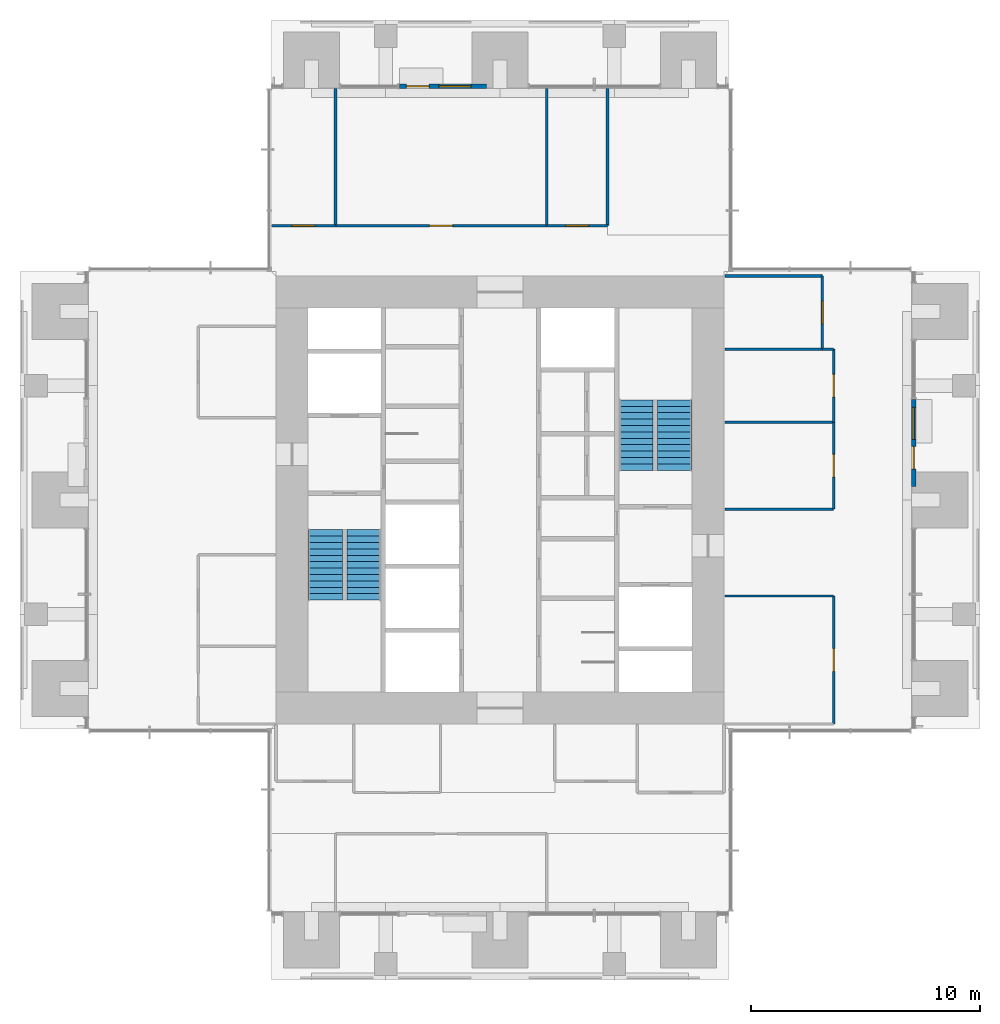
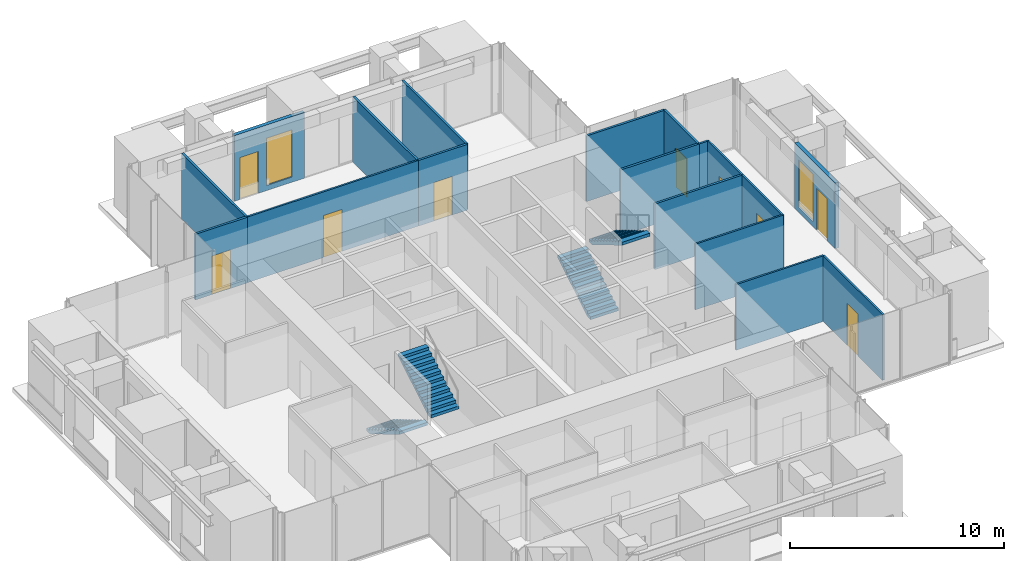
# One storey, part 14 of 17: 18 walls, 9 doors, 4 stair flights, 2 windows, 11 openings, 2 elements without a shape of their own.
"""IFC4 building model written with IfcOpenShell, lengths in metres."""

from ifc_helpers import new_model, si_unit, direction, frame, frame_2d, origin, place, context, subcontext, project, spatial, polyline, rectangle, outline, extrude, material, layer, layer_set, type_object, element, fill, aggregate, save


model = new_model("IFC4")

# Units and contexts
model_context = context("Model", 3, precision=1e-05, world=origin(), true_north=direction((0.0, 1.0)))
body_context = subcontext(model_context, "Body", "Model", "MODEL_VIEW")
ifc_project = project(units=[si_unit("LENGTHUNIT", "METRE"), si_unit("AREAUNIT", "SQUARE_METRE"), si_unit("VOLUMEUNIT", "CUBIC_METRE"), si_unit("PLANEANGLEUNIT", "RADIAN"), si_unit("MASSUNIT", "GRAM", prefix="KILO")], contexts=[model_context])

# Site, building, storey
site_placement = place(None, origin())
site = spatial("IfcSite", under=ifc_project, at=site_placement, CompositionType="ELEMENT")
building_placement = place(site_placement, origin())
building = spatial("IfcBuilding", under=site, at=building_placement, Name="Svetlomir Tower", CompositionType="ELEMENT")
storey_placement = place(building_placement, frame((0.0, 0.0, 190.5)))
storey = spatial("IfcBuildingStorey", under=building, at=storey_placement, Name="L45", CompositionType="ELEMENT", Elevation=190.5)

# Wall, openings, door, window
ifc_material_1 = material(Name="Bronze anodised aluminium glazed screen", Category="aluminium")
ifc_layer_1 = layer(ifc_material_1, 0.199951171875)
ifc_layer_set_1 = layer_set([ifc_layer_1], Name="Bronze anodised aluminium glazed screen")
wall_type_1 = type_object("IfcWallType", Name="BALCONY SCREEN WALL 200", PredefinedType="USERDEFINED", material=ifc_layer_set_1)
wall_1_placement = place(storey_placement, frame((39.10009765625, 21.60009765625, 0.0), z_axis=(0.0, 0.0, 1.0), x_axis=(0.0, 1.0, 0.0)))
wall_1 = element("IfcWall", 1, at=wall_1_placement, inside=storey, type_object=wall_type_1, Name="Balcony screen E", ObjectType="GLAZED SCREEN", PredefinedType="USERDEFINED", context=body_context, shape_type="SweptSolid", body=[
    extrude(rectangle(XDim=3.7998046875, YDim=0.199951171875, at=frame_2d((1.89990234375, 0.0))), origin(), (0.0, 0.0, 1.0), 3.75),
])
opening_1_placement = place(wall_1_placement, frame((0.75, 0.0, 0.0)))
opening_1 = element("IfcOpeningElement", 2, at=opening_1_placement, cuts=wall_1, Name="Opening BD", PredefinedType="OPENING", context=body_context, shape_type="SweptSolid", body=[
    extrude(rectangle(XDim=1.0, YDim=2.39990234375, at=frame_2d((0.5, 1.199951171875))), frame((0.0, 0.10986328125, 0.0), z_axis=(0.0, -1.0, 0.0), x_axis=(1.0, 0.0, 0.0)), (0.0, 0.0, 1.0), 0.219970703125),
])
opening_2_placement = place(wall_1_placement, frame((2.050048828125, 0.0, 0.300048828125)))
opening_2 = element("IfcOpeningElement", 3, at=opening_2_placement, cuts=wall_1, Name="Opening WS2", PredefinedType="OPENING", context=body_context, shape_type="SweptSolid", body=[
    extrude(rectangle(XDim=1.39990234375, YDim=2.699951171875, at=frame_2d((0.699951171875, 1.35009765625))), frame((0.0, 0.10986328125, 0.0), z_axis=(0.0, -1.0, 0.0), x_axis=(1.0, 0.0, 0.0)), (0.0, 0.0, 1.0), 0.219970703125),
])
ifc_material_2 = material(Name="Bronze anodised aluminium glazed door", Category="aluminium")
door_type_1 = type_object("IfcDoorType", Name="BALCONY DOOR BD 1000x2400", OperationType="SINGLE_SWING_LEFT", PredefinedType="DOOR", material=ifc_material_2)
door_1_placement = place(opening_1_placement, origin())
door_1 = element("IfcDoor", 4, at=door_1_placement, inside=storey, type_object=door_type_1, Name="Balcony screen E door", OperationType="SINGLE_SWING_LEFT", OverallHeight=2.39990234375, OverallWidth=1.0, PredefinedType="DOOR", context=body_context, shape_type="SweptSolid", body=[
    extrude(rectangle(XDim=1.0, YDim=2.39990234375, at=frame_2d((0.5, 1.199951171875))), frame((0.0, 0.02490234375, 0.0), z_axis=(0.0, -1.0, 0.0), x_axis=(1.0, 0.0, 0.0)), (0.0, 0.0, 1.0), 0.050048828125),
])
fill(opening_1, door_1)
ifc_material_3 = material(Name="Bronze anodised aluminium window", Category="aluminium")
window_type = type_object("IfcWindowType", Name="SCREEN WINDOW WS2 1400x2700", PartitioningType="SINGLE_PANEL", PredefinedType="WINDOW", material=ifc_material_3)
window_1_placement = place(opening_2_placement, origin())
window_1 = element("IfcWindow", 5, at=window_1_placement, inside=storey, type_object=window_type, Name="Balcony screen E window 1", OverallHeight=2.699951171875, OverallWidth=1.39990234375, PartitioningType="SINGLE_PANEL", PredefinedType="WINDOW", context=body_context, shape_type="SweptSolid", body=[
    extrude(rectangle(XDim=1.39990234375, YDim=2.699951171875, at=frame_2d((0.699951171875, 1.35009765625))), frame((0.0, 0.030029296875, 0.0), z_axis=(0.0, -1.0, 0.0), x_axis=(1.0, 0.0, 0.0)), (0.0, 0.0, 1.0), 0.06005859375),
])
fill(opening_2, window_1)

wall_2_placement = place(storey_placement, frame((20.39990234375, 39.10009765625, 0.0), z_axis=(0.0, 0.0, 1.0), x_axis=(-1.0, 0.0, 0.0)))
wall_2 = element("IfcWall", 6, at=wall_2_placement, inside=storey, type_object=wall_type_1, Name="Balcony screen N", ObjectType="GLAZED SCREEN", PredefinedType="USERDEFINED", context=body_context, shape_type="SweptSolid", body=[
    extrude(rectangle(XDim=3.7998046875, YDim=0.199951171875, at=frame_2d((1.89990234375, 0.0))), origin(), (0.0, 0.0, 1.0), 3.75),
])
opening_3_placement = place(wall_2_placement, frame((2.5, 0.0, 0.0)))
opening_3 = element("IfcOpeningElement", 7, at=opening_3_placement, cuts=wall_2, Name="Opening BD", PredefinedType="OPENING", context=body_context, shape_type="SweptSolid", body=[
    extrude(rectangle(XDim=1.0, YDim=2.39990234375, at=frame_2d((0.5, 1.199951171875))), frame((0.0, 0.10986328125, 0.0), z_axis=(0.0, -1.0, 0.0), x_axis=(1.0, 0.0, 0.0)), (0.0, 0.0, 1.0), 0.219970703125),
])
opening_4_placement = place(wall_2_placement, frame((0.675048828125, 0.0, 0.300048828125)))
opening_4 = element("IfcOpeningElement", 8, at=opening_4_placement, cuts=wall_2, Name="Opening WS2", PredefinedType="OPENING", context=body_context, shape_type="SweptSolid", body=[
    extrude(rectangle(XDim=1.39990234375, YDim=2.699951171875, at=frame_2d((0.699951171875, 1.35009765625))), frame((0.0, 0.10986328125, 0.0), z_axis=(0.0, -1.0, 0.0), x_axis=(1.0, 0.0, 0.0)), (0.0, 0.0, 1.0), 0.219970703125),
])
door_2_placement = place(opening_3_placement, origin())
door_2 = element("IfcDoor", 9, at=door_2_placement, inside=storey, type_object=door_type_1, Name="Balcony screen N door", OperationType="SINGLE_SWING_LEFT", OverallHeight=2.39990234375, OverallWidth=1.0, PredefinedType="DOOR", context=body_context, shape_type="SweptSolid", body=[
    extrude(rectangle(XDim=1.0, YDim=2.39990234375, at=frame_2d((0.5, 1.199951171875))), frame((0.0, 0.02490234375, 0.0), z_axis=(0.0, -1.0, 0.0), x_axis=(1.0, 0.0, 0.0)), (0.0, 0.0, 1.0), 0.050048828125),
])
fill(opening_3, door_2)
window_2_placement = place(opening_4_placement, origin())
window_2 = element("IfcWindow", 10, at=window_2_placement, inside=storey, type_object=window_type, Name="Balcony screen N window 1", OverallHeight=2.699951171875, OverallWidth=1.39990234375, PartitioningType="SINGLE_PANEL", PredefinedType="WINDOW", context=body_context, shape_type="SweptSolid", body=[
    extrude(rectangle(XDim=1.39990234375, YDim=2.699951171875, at=frame_2d((0.699951171875, 1.35009765625))), frame((0.0, 0.030029296875, 0.0), z_axis=(0.0, -1.0, 0.0), x_axis=(1.0, 0.0, 0.0)), (0.0, 0.0, 1.0), 0.06005859375),
])
fill(opening_4, window_2)

# Wall, opening, door
ifc_material_4 = material(Name="Framed laminated glass partition", Category="glass")
ifc_layer_2 = layer(ifc_material_4, 0.10009765625)
ifc_layer_set_2 = layer_set([ifc_layer_2], Name="Framed laminated glass partition")
wall_type_2 = type_object("IfcWallType", Name="GLAZED PARTITION 100", PredefinedType="PARTITIONING", material=ifc_layer_set_2)
wall_3_placement = place(storey_placement, frame((13.800048828125, 33.0, 0.0), z_axis=(0.0, 0.0, 1.0), x_axis=(1.0, 0.0, 0.0)))
wall_3 = element("IfcWall", 11, at=wall_3_placement, inside=storey, type_object=wall_type_2, Name="Glazed partition L45", PredefinedType="PARTITIONING", context=body_context, shape_type="SweptSolid", body=[
    extrude(rectangle(XDim=9.25, YDim=0.10009765625, at=frame_2d((4.625, 0.0))), origin(), (0.0, 0.0, 1.0), 3.75),
])
opening_5_placement = place(wall_3_placement, frame((4.125, 0.0, 0.0)))
opening_5 = element("IfcOpeningElement", 12, at=opening_5_placement, cuts=wall_3, Name="Opening DG", PredefinedType="OPENING", context=body_context, shape_type="SweptSolid", body=[
    extrude(rectangle(XDim=1.0, YDim=2.39990234375, at=frame_2d((0.5, 1.199951171875))), frame((0.0, 0.06005859375, 0.0), z_axis=(0.0, -1.0, 0.0), x_axis=(1.0, 0.0, 0.0)), (0.0, 0.0, 1.0), 0.1201171875),
])
ifc_material_5 = material(Name="Framed laminated glass door", Category="glass")
door_type_2 = type_object("IfcDoorType", Name="GLAZED DOOR DG 1000x2400", OperationType="SINGLE_SWING_LEFT", PredefinedType="DOOR", material=ifc_material_5)
door_3_placement = place(opening_5_placement, origin())
door_3 = element("IfcDoor", 13, at=door_3_placement, inside=storey, type_object=door_type_2, Name="Underwriting team hub door L45", OperationType="SINGLE_SWING_RIGHT", OverallHeight=2.39990234375, OverallWidth=1.0, PredefinedType="DOOR", context=body_context, shape_type="SweptSolid", body=[
    extrude(rectangle(XDim=1.0, YDim=2.39990234375, at=frame_2d((0.5, 1.199951171875))), frame((0.0, 0.02490234375, 0.0), z_axis=(0.0, -1.0, 0.0), x_axis=(1.0, 0.0, 0.0)), (0.0, 0.0, 1.0), 0.050048828125),
])
fill(opening_5, door_3)

# Walls
for number, where, z_axis, x_axis, name in (
    (14, (30.85009765625, 16.800048828125, 0.0), (0.0, 0.0, 1.0), (1.0, 0.0, 0.0), "Glazed partition L45"),
    (15, (30.85009765625, 20.60009765625, 0.0), (0.0, 0.0, 1.0), (1.0, 0.0, 0.0), "Glazed partition L45"),
):
    element("IfcWall", number, at=place(storey_placement, frame(where, z_axis=z_axis, x_axis=x_axis)), inside=storey, type_object=wall_type_2, Name=name, PredefinedType="PARTITIONING", context=body_context, shape_type="SweptSolid", body=[
        extrude(rectangle(XDim=4.75, YDim=0.10009765625, at=frame_2d((2.375, 0.0))), origin(), (0.0, 0.0, 1.0), 3.75),
    ])
wall_4_placement = place(storey_placement, frame((35.10009765625, 27.60009765625, 0.0), z_axis=(0.0, 0.0, 1.0), x_axis=(1.0, 0.0, 0.0)))
element("IfcWall", 16, at=wall_4_placement, inside=storey, type_object=wall_type_2, Name="Glazed partition L45", PredefinedType="PARTITIONING", context=body_context, shape_type="SweptSolid", body=[
    extrude(rectangle(XDim=0.5, YDim=0.10009765625, at=frame_2d((0.25, 0.0))), origin(), (0.0, 0.0, 1.0), 3.75),
])

# Wall, opening, door
wall_5_placement = place(storey_placement, frame((35.60009765625, 11.199951171875, 0.0), z_axis=(0.0, 0.0, 1.0), x_axis=(0.0, 1.0, 0.0)))
wall_5 = element("IfcWall", 17, at=wall_5_placement, inside=storey, type_object=wall_type_2, Name="Glazed partition L45", PredefinedType="PARTITIONING", context=body_context, shape_type="SweptSolid", body=[
    extrude(rectangle(XDim=5.60009765625, YDim=0.10009765625, at=frame_2d((2.800048828125, 0.0))), origin(), (0.0, 0.0, 1.0), 3.75),
])
opening_6_placement = place(wall_5_placement, frame((2.300048828125, 0.0, 0.0)))
opening_6 = element("IfcOpeningElement", 18, at=opening_6_placement, cuts=wall_5, Name="Opening DG", PredefinedType="OPENING", context=body_context, shape_type="SweptSolid", body=[
    extrude(rectangle(XDim=1.0, YDim=2.39990234375, at=frame_2d((0.5, 1.199951171875))), frame((0.0, 0.06005859375, 0.0), z_axis=(0.0, -1.0, 0.0), x_axis=(1.0, 0.0, 0.0)), (0.0, 0.0, 1.0), 0.1201171875),
])
door_4_placement = place(opening_6_placement, origin())
door_4 = element("IfcDoor", 19, at=door_4_placement, inside=storey, type_object=door_type_2, Name="Claims panel room, 12 seats door L45", OperationType="SINGLE_SWING_LEFT", OverallHeight=2.39990234375, OverallWidth=1.0, PredefinedType="DOOR", context=body_context, shape_type="SweptSolid", body=[
    extrude(rectangle(XDim=1.0, YDim=2.39990234375, at=frame_2d((0.5, 1.199951171875))), frame((0.0, 0.02490234375, 0.0), z_axis=(0.0, -1.0, 0.0), x_axis=(1.0, 0.0, 0.0)), (0.0, 0.0, 1.0), 0.050048828125),
])
fill(opening_6, door_4)

wall_6_placement = place(storey_placement, frame((35.60009765625, 20.60009765625, 0.0), z_axis=(0.0, 0.0, 1.0), x_axis=(0.0, 1.0, 0.0)))
wall_6 = element("IfcWall", 20, at=wall_6_placement, inside=storey, type_object=wall_type_2, Name="Glazed partition L45", PredefinedType="PARTITIONING", context=body_context, shape_type="SweptSolid", body=[
    extrude(rectangle(XDim=3.7998046875, YDim=0.10009765625, at=frame_2d((1.89990234375, 0.0))), origin(), (0.0, 0.0, 1.0), 3.75),
])
opening_7_placement = place(wall_6_placement, frame((1.39990234375, 0.0, 0.0)))
opening_7 = element("IfcOpeningElement", 21, at=opening_7_placement, cuts=wall_6, Name="Opening DG", PredefinedType="OPENING", context=body_context, shape_type="SweptSolid", body=[
    extrude(rectangle(XDim=1.0, YDim=2.39990234375, at=frame_2d((0.5, 1.199951171875))), frame((0.0, 0.06005859375, 0.0), z_axis=(0.0, -1.0, 0.0), x_axis=(1.0, 0.0, 0.0)), (0.0, 0.0, 1.0), 0.1201171875),
])
door_5_placement = place(opening_7_placement, origin())
door_5 = element("IfcDoor", 22, at=door_5_placement, inside=storey, type_object=door_type_2, Name="Meeting room, 6 seats door L45", OperationType="SINGLE_SWING_RIGHT", OverallHeight=2.39990234375, OverallWidth=1.0, PredefinedType="DOOR", context=body_context, shape_type="SweptSolid", body=[
    extrude(rectangle(XDim=1.0, YDim=2.39990234375, at=frame_2d((0.5, 1.199951171875))), frame((0.0, 0.02490234375, 0.0), z_axis=(0.0, -1.0, 0.0), x_axis=(1.0, 0.0, 0.0)), (0.0, 0.0, 1.0), 0.050048828125),
])
fill(opening_7, door_5)

wall_7_placement = place(storey_placement, frame((35.60009765625, 24.39990234375, 0.0), z_axis=(0.0, 0.0, 1.0), x_axis=(0.0, 1.0, 0.0)))
wall_7 = element("IfcWall", 23, at=wall_7_placement, inside=storey, type_object=wall_type_2, Name="Glazed partition L45", PredefinedType="PARTITIONING", context=body_context, shape_type="SweptSolid", body=[
    extrude(rectangle(XDim=3.2001953125, YDim=0.10009765625, at=frame_2d((1.60009765625, 0.0))), origin(), (0.0, 0.0, 1.0), 3.75),
])
opening_8_placement = place(wall_7_placement, frame((1.10009765625, 0.0, 0.0)))
opening_8 = element("IfcOpeningElement", 24, at=opening_8_placement, cuts=wall_7, Name="Opening DG", PredefinedType="OPENING", context=body_context, shape_type="SweptSolid", body=[
    extrude(rectangle(XDim=1.0, YDim=2.39990234375, at=frame_2d((0.5, 1.199951171875))), frame((0.0, 0.06005859375, 0.0), z_axis=(0.0, -1.0, 0.0), x_axis=(1.0, 0.0, 0.0)), (0.0, 0.0, 1.0), 0.1201171875),
])
door_6_placement = place(opening_8_placement, origin())
door_6 = element("IfcDoor", 25, at=door_6_placement, inside=storey, type_object=door_type_2, Name="Focus room door L45", OperationType="SINGLE_SWING_LEFT", OverallHeight=2.39990234375, OverallWidth=1.0, PredefinedType="DOOR", context=body_context, shape_type="SweptSolid", body=[
    extrude(rectangle(XDim=1.0, YDim=2.39990234375, at=frame_2d((0.5, 1.199951171875))), frame((0.0, 0.02490234375, 0.0), z_axis=(0.0, -1.0, 0.0), x_axis=(1.0, 0.0, 0.0)), (0.0, 0.0, 1.0), 0.050048828125),
])
fill(opening_8, door_6)

ifc_material_6 = material(Name="Gypsum board on steel studs", Category="steel")
ifc_layer_3 = layer(ifc_material_6, 0.1201171875)
ifc_layer_set_3 = layer_set([ifc_layer_3], Name="Gypsum board on steel studs")
wall_type_3 = type_object("IfcWallType", Name="PARTITION 120", PredefinedType="PARTITIONING", material=ifc_layer_set_3)
wall_8_placement = place(storey_placement, frame((11.0, 33.0, 0.0), z_axis=(0.0, 0.0, 1.0), x_axis=(1.0, 0.0, 0.0)))
wall_8 = element("IfcWall", 26, at=wall_8_placement, inside=storey, type_object=wall_type_3, Name="Partition L45", PredefinedType="PARTITIONING", context=body_context, shape_type="SweptSolid", body=[
    extrude(rectangle(XDim=2.800048828125, YDim=0.1201171875, at=frame_2d((1.39990234375, 0.0))), origin(), (0.0, 0.0, 1.0), 3.75),
])
opening_9_placement = place(wall_8_placement, frame((0.89990234375, 0.0, 0.0)))
opening_9 = element("IfcOpeningElement", 27, at=opening_9_placement, cuts=wall_8, Name="Opening DR", PredefinedType="OPENING", context=body_context, shape_type="SweptSolid", body=[
    extrude(rectangle(XDim=1.0, YDim=2.199951171875, at=frame_2d((0.5, 1.10009765625))), frame((0.0, 0.070068359375, 0.0), z_axis=(0.0, -1.0, 0.0), x_axis=(1.0, 0.0, 0.0)), (0.0, 0.0, 1.0), 0.14013671875),
])
ifc_material_7 = material(Name="Timber door, glazed side light", Category="wood")
door_type_3 = type_object("IfcDoorType", Name="DOOR DR 1000x2200", OperationType="SINGLE_SWING_LEFT", PredefinedType="DOOR", material=ifc_material_7)
door_7_placement = place(opening_9_placement, origin())
door_7 = element("IfcDoor", 28, at=door_7_placement, inside=storey, type_object=door_type_3, Name="Chief underwriter office door L45", OperationType="SINGLE_SWING_RIGHT", OverallHeight=2.199951171875, OverallWidth=1.0, PredefinedType="DOOR", context=body_context, shape_type="SweptSolid", body=[
    extrude(rectangle(XDim=1.0, YDim=2.199951171875, at=frame_2d((0.5, 1.10009765625))), frame((0.0, 0.02490234375, 0.0), z_axis=(0.0, -1.0, 0.0), x_axis=(1.0, 0.0, 0.0)), (0.0, 0.0, 1.0), 0.050048828125),
])
fill(opening_9, door_7)

# Walls
for number, where, z_axis, x_axis, name in (
    (29, (13.800048828125, 33.0, 0.0), (0.0, 0.0, 1.0), (0.0, 1.0, 0.0), "Partition L45"),
    (30, (23.050048828125, 33.0, 0.0), (0.0, 0.0, 1.0), (0.0, 1.0, 0.0), "Partition L45"),
):
    element("IfcWall", number, at=place(storey_placement, frame(where, z_axis=z_axis, x_axis=x_axis)), inside=storey, type_object=wall_type_3, Name=name, PredefinedType="PARTITIONING", context=body_context, shape_type="SweptSolid", body=[
        extrude(rectangle(XDim=6.0, YDim=0.1201171875, at=frame_2d((3.0, 0.0))), origin(), (0.0, 0.0, 1.0), 3.75),
    ])

# Wall, opening, door
wall_9_placement = place(storey_placement, frame((23.050048828125, 33.0, 0.0), z_axis=(0.0, 0.0, 1.0), x_axis=(1.0, 0.0, 0.0)))
wall_9 = element("IfcWall", 31, at=wall_9_placement, inside=storey, type_object=wall_type_3, Name="Partition L45", PredefinedType="PARTITIONING", context=body_context, shape_type="SweptSolid", body=[
    extrude(rectangle(XDim=2.64990234375, YDim=0.1201171875, at=frame_2d((1.324951171875, 0.0))), origin(), (0.0, 0.0, 1.0), 3.75),
])
opening_10_placement = place(wall_9_placement, frame((0.824951171875, 0.0, 0.0)))
opening_10 = element("IfcOpeningElement", 32, at=opening_10_placement, cuts=wall_9, Name="Opening DR", PredefinedType="OPENING", context=body_context, shape_type="SweptSolid", body=[
    extrude(rectangle(XDim=1.0, YDim=2.199951171875, at=frame_2d((0.5, 1.10009765625))), frame((0.0, 0.070068359375, 0.0), z_axis=(0.0, -1.0, 0.0), x_axis=(1.0, 0.0, 0.0)), (0.0, 0.0, 1.0), 0.14013671875),
])
door_8_placement = place(opening_10_placement, origin())
door_8 = element("IfcDoor", 33, at=door_8_placement, inside=storey, type_object=door_type_3, Name="Underwriter office door L45", OperationType="SINGLE_SWING_LEFT", OverallHeight=2.199951171875, OverallWidth=1.0, PredefinedType="DOOR", context=body_context, shape_type="SweptSolid", body=[
    extrude(rectangle(XDim=1.0, YDim=2.199951171875, at=frame_2d((0.5, 1.10009765625))), frame((0.0, 0.02490234375, 0.0), z_axis=(0.0, -1.0, 0.0), x_axis=(1.0, 0.0, 0.0)), (0.0, 0.0, 1.0), 0.050048828125),
])
fill(opening_10, door_8)

# Walls
wall_10_placement = place(storey_placement, frame((25.699951171875, 33.0, 0.0), z_axis=(0.0, 0.0, 1.0), x_axis=(0.0, 1.0, 0.0)))
element("IfcWall", 34, at=wall_10_placement, inside=storey, type_object=wall_type_3, Name="Partition L45", PredefinedType="PARTITIONING", context=body_context, shape_type="SweptSolid", body=[
    extrude(rectangle(XDim=6.0, YDim=0.1201171875, at=frame_2d((3.0, 0.0))), origin(), (0.0, 0.0, 1.0), 3.75),
])
wall_11_placement = place(storey_placement, frame((30.85009765625, 24.39990234375, 0.0), z_axis=(0.0, 0.0, 1.0), x_axis=(1.0, 0.0, 0.0)))
element("IfcWall", 35, at=wall_11_placement, inside=storey, type_object=wall_type_3, Name="Partition L45", PredefinedType="PARTITIONING", context=body_context, shape_type="SweptSolid", body=[
    extrude(rectangle(XDim=4.75, YDim=0.1201171875, at=frame_2d((2.375, 0.0))), origin(), (0.0, 0.0, 1.0), 3.75),
])
for number, where, z_axis, x_axis, name in (
    (36, (30.85009765625, 27.60009765625, 0.0), (0.0, 0.0, 1.0), (1.0, 0.0, 0.0), "Partition L45"),
    (37, (30.85009765625, 30.800048828125, 0.0), (0.0, 0.0, 1.0), (1.0, 0.0, 0.0), "Partition L45"),
):
    element("IfcWall", number, at=place(storey_placement, frame(where, z_axis=z_axis, x_axis=x_axis)), inside=storey, type_object=wall_type_3, Name=name, PredefinedType="PARTITIONING", context=body_context, shape_type="SweptSolid", body=[
        extrude(rectangle(XDim=4.25, YDim=0.1201171875, at=frame_2d((2.125, 0.0))), origin(), (0.0, 0.0, 1.0), 3.75),
    ])

# Wall, opening, door
wall_12_placement = place(storey_placement, frame((35.10009765625, 27.60009765625, 0.0), z_axis=(0.0, 0.0, 1.0), x_axis=(0.0, 1.0, 0.0)))
wall_12 = element("IfcWall", 38, at=wall_12_placement, inside=storey, type_object=wall_type_3, Name="Partition L45", PredefinedType="PARTITIONING", context=body_context, shape_type="SweptSolid", body=[
    extrude(rectangle(XDim=3.199951171875, YDim=0.1201171875, at=frame_2d((1.60009765625, 0.0))), origin(), (0.0, 0.0, 1.0), 3.75),
])
opening_11_placement = place(wall_12_placement, frame((1.10009765625, 0.0, 0.0)))
opening_11 = element("IfcOpeningElement", 39, at=opening_11_placement, cuts=wall_12, Name="Opening DR", PredefinedType="OPENING", context=body_context, shape_type="SweptSolid", body=[
    extrude(rectangle(XDim=1.0, YDim=2.199951171875, at=frame_2d((0.5, 1.10009765625))), frame((0.0, 0.070068359375, 0.0), z_axis=(0.0, -1.0, 0.0), x_axis=(1.0, 0.0, 0.0)), (0.0, 0.0, 1.0), 0.14013671875),
])
door_9_placement = place(opening_11_placement, origin())
door_9 = element("IfcDoor", 40, at=door_9_placement, inside=storey, type_object=door_type_3, Name="Policy archive door L45", OperationType="SINGLE_SWING_RIGHT", OverallHeight=2.199951171875, OverallWidth=1.0, PredefinedType="DOOR", context=body_context, shape_type="SweptSolid", body=[
    extrude(rectangle(XDim=1.0, YDim=2.199951171875, at=frame_2d((0.5, 1.10009765625))), frame((0.0, 0.02490234375, 0.0), z_axis=(0.0, -1.0, 0.0), x_axis=(1.0, 0.0, 0.0)), (0.0, 0.0, 1.0), 0.050048828125),
])
fill(opening_11, door_9)

# Stair, stair flights
ifc_material_8 = material(Name="Concrete C60/75", Category="concrete")
stair_type = type_object("IfcStairType", Name="EXIT STAIR 3200 RISE 4000", PredefinedType="HALF_TURN_STAIR", material=ifc_material_8)
stair_1_placement = place(storey_placement, origin())
stair_1 = element("IfcStair", 41, at=stair_1_placement, inside=storey, type_object=stair_type, Name="Stair S1 L45 to L46", PredefinedType="HALF_TURN_STAIR")
ifc_material_9 = material(Name="Concrete C60/75", Category="concrete")
stair_flight_type = type_object("IfcStairFlightType", Name="STAIR FLIGHT 1500 OF 12 RISERS", PredefinedType="STRAIGHT", material=ifc_material_9)
stair_flight_1_placement = place(storey_placement, frame((13.35009765625, 19.699951171875, 0.0), z_axis=(0.0, 0.0, 1.0), x_axis=(0.0, -1.0, 0.0)))
stair_flight_1 = element("IfcStairFlight", 42, at=stair_flight_1_placement, type_object=stair_flight_type, Name="S1 flight 1", NumberOfRisers=12, NumberOfTreads=11, PredefinedType="STRAIGHT", RiserHeight=0.166666667, TreadLength=0.28, context=body_context, shape_type="SweptSolid", body=[
    extrude(outline(polyline([(0.0, 0.0), (0.0, 0.166748046875), (0.280029296875, 0.166748046875), (0.280029296875, 0.333251953125), (0.56005859375, 0.333251953125), (0.56005859375, 0.5), (0.840087890625, 0.5), (0.840087890625, 0.666748046875), (1.1201171875, 0.666748046875), (1.1201171875, 0.833251953125), (1.39990234375, 0.833251953125), (1.39990234375, 1.0), (1.679931640625, 1.0), (1.679931640625, 1.166748046875), (1.9599609375, 1.166748046875), (1.9599609375, 1.333251953125), (2.239990234375, 1.333251953125), (2.239990234375, 1.5), (2.52001953125, 1.5), (2.52001953125, 1.666748046875), (2.800048828125, 1.666748046875), (2.800048828125, 1.833251953125), (3.080078125, 1.833251953125), (3.080078125, 2.0), (3.080078125, 1.658935546875), (0.29296875, 0.0), (0.0, 0.0)])), frame((0.0, 0.75, 0.0), z_axis=(0.0, -1.0, 0.0), x_axis=(1.0, 0.0, 0.0)), (0.0, 0.0, 1.0), 1.5),
])
stair_flight_2_placement = place(storey_placement, frame((15.050048828125, 16.6201171875, 2.0), z_axis=(0.0, 0.0, 1.0), x_axis=(0.0, 1.0, 0.0)))
stair_flight_2 = element("IfcStairFlight", 43, at=stair_flight_2_placement, type_object=stair_flight_type, Name="S1 flight 2", NumberOfRisers=12, NumberOfTreads=11, PredefinedType="STRAIGHT", RiserHeight=0.166666667, TreadLength=0.28, context=body_context, shape_type="SweptSolid", body=[
    extrude(outline(polyline([(0.0, 0.0), (0.0, 0.166748046875), (0.280029296875, 0.166748046875), (0.280029296875, 0.333251953125), (0.56005859375, 0.333251953125), (0.56005859375, 0.5), (0.840087890625, 0.5), (0.840087890625, 0.666748046875), (1.1201171875, 0.666748046875), (1.1201171875, 0.833251953125), (1.39990234375, 0.833251953125), (1.39990234375, 1.0), (1.679931640625, 1.0), (1.679931640625, 1.166748046875), (1.9599609375, 1.166748046875), (1.9599609375, 1.333251953125), (2.239990234375, 1.333251953125), (2.239990234375, 1.5), (2.52001953125, 1.5), (2.52001953125, 1.666748046875), (2.800048828125, 1.666748046875), (2.800048828125, 1.833251953125), (3.080078125, 1.833251953125), (3.080078125, 2.0), (3.080078125, 1.658935546875), (0.29296875, 0.0), (0.0, 0.0)])), frame((0.0, 0.75, 0.0), z_axis=(0.0, -1.0, 0.0), x_axis=(1.0, 0.0, 0.0)), (0.0, 0.0, 1.0), 1.5),
])
aggregate(stair_1, [stair_flight_1, stair_flight_2])

stair_2_placement = place(storey_placement, origin())
stair_2 = element("IfcStair", 44, at=stair_2_placement, inside=storey, type_object=stair_type, Name="Stair S2 L45 to L46", PredefinedType="HALF_TURN_STAIR")
stair_flight_3_placement = place(storey_placement, frame((26.949951171875, 22.300048828125, 0.0), z_axis=(0.0, 0.0, 1.0), x_axis=(0.0, 1.0, 0.0)))
stair_flight_3 = element("IfcStairFlight", 45, at=stair_flight_3_placement, type_object=stair_flight_type, Name="S2 flight 1", NumberOfRisers=12, NumberOfTreads=11, PredefinedType="STRAIGHT", RiserHeight=0.166666667, TreadLength=0.28, context=body_context, shape_type="SweptSolid", body=[
    extrude(outline(polyline([(0.0, 0.0), (0.0, 0.166748046875), (0.280029296875, 0.166748046875), (0.280029296875, 0.333251953125), (0.56005859375, 0.333251953125), (0.56005859375, 0.5), (0.840087890625, 0.5), (0.840087890625, 0.666748046875), (1.1201171875, 0.666748046875), (1.1201171875, 0.833251953125), (1.39990234375, 0.833251953125), (1.39990234375, 1.0), (1.679931640625, 1.0), (1.679931640625, 1.166748046875), (1.9599609375, 1.166748046875), (1.9599609375, 1.333251953125), (2.239990234375, 1.333251953125), (2.239990234375, 1.5), (2.52001953125, 1.5), (2.52001953125, 1.666748046875), (2.800048828125, 1.666748046875), (2.800048828125, 1.833251953125), (3.080078125, 1.833251953125), (3.080078125, 2.0), (3.080078125, 1.658935546875), (0.29296875, 0.0), (0.0, 0.0)])), frame((0.0, 0.75, 0.0), z_axis=(0.0, -1.0, 0.0), x_axis=(1.0, 0.0, 0.0)), (0.0, 0.0, 1.0), 1.5),
])
stair_flight_4_placement = place(storey_placement, frame((28.64990234375, 25.3798828125, 2.0), z_axis=(0.0, 0.0, 1.0), x_axis=(0.0, -1.0, 0.0)))
stair_flight_4 = element("IfcStairFlight", 46, at=stair_flight_4_placement, type_object=stair_flight_type, Name="S2 flight 2", NumberOfRisers=12, NumberOfTreads=11, PredefinedType="STRAIGHT", RiserHeight=0.166666667, TreadLength=0.28, context=body_context, shape_type="SweptSolid", body=[
    extrude(outline(polyline([(0.0, 0.0), (0.0, 0.166748046875), (0.280029296875, 0.166748046875), (0.280029296875, 0.333251953125), (0.56005859375, 0.333251953125), (0.56005859375, 0.5), (0.840087890625, 0.5), (0.840087890625, 0.666748046875), (1.1201171875, 0.666748046875), (1.1201171875, 0.833251953125), (1.39990234375, 0.833251953125), (1.39990234375, 1.0), (1.679931640625, 1.0), (1.679931640625, 1.166748046875), (1.9599609375, 1.166748046875), (1.9599609375, 1.333251953125), (2.239990234375, 1.333251953125), (2.239990234375, 1.5), (2.52001953125, 1.5), (2.52001953125, 1.666748046875), (2.800048828125, 1.666748046875), (2.800048828125, 1.833251953125), (3.080078125, 1.833251953125), (3.080078125, 2.0), (3.080078125, 1.658935546875), (0.29296875, 0.0), (0.0, 0.0)])), frame((0.0, 0.75, 0.0), z_axis=(0.0, -1.0, 0.0), x_axis=(1.0, 0.0, 0.0)), (0.0, 0.0, 1.0), 1.5),
])
aggregate(stair_2, [stair_flight_3, stair_flight_4])

save(model, "model.ifc")
